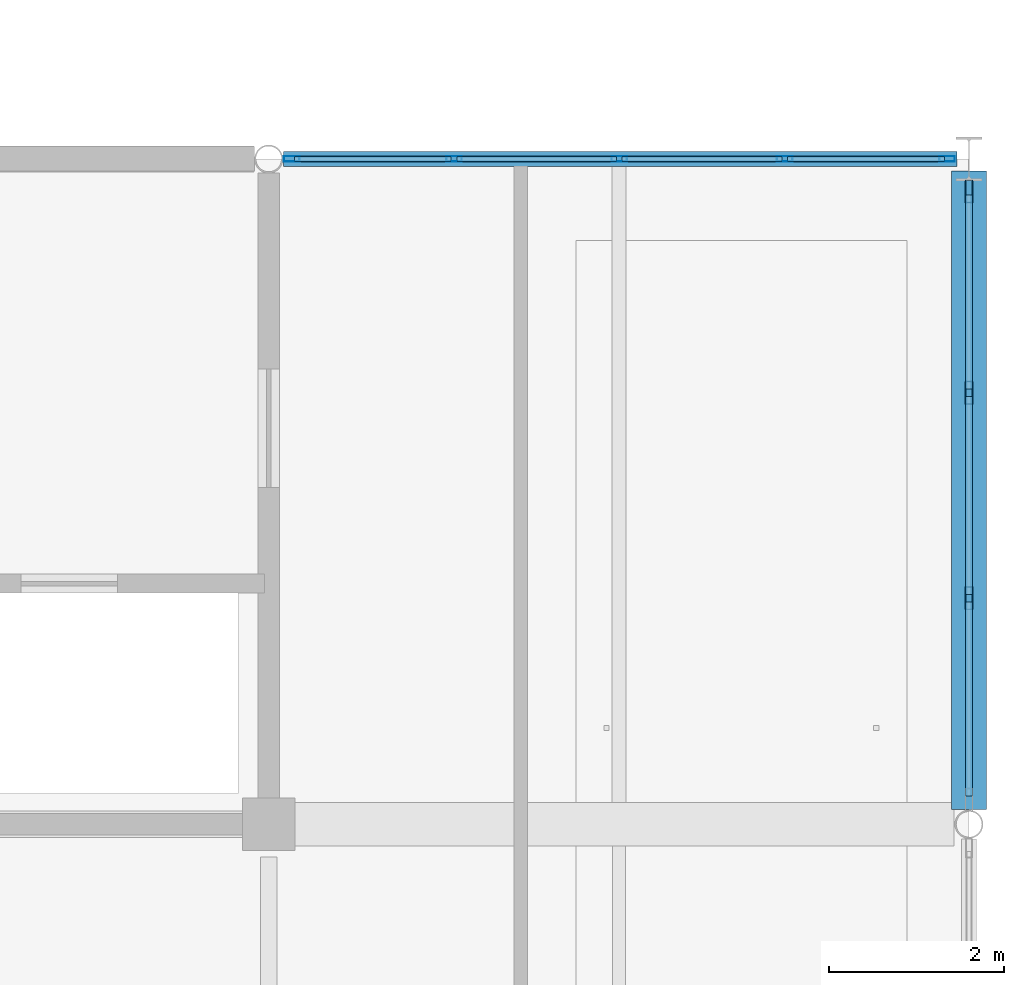
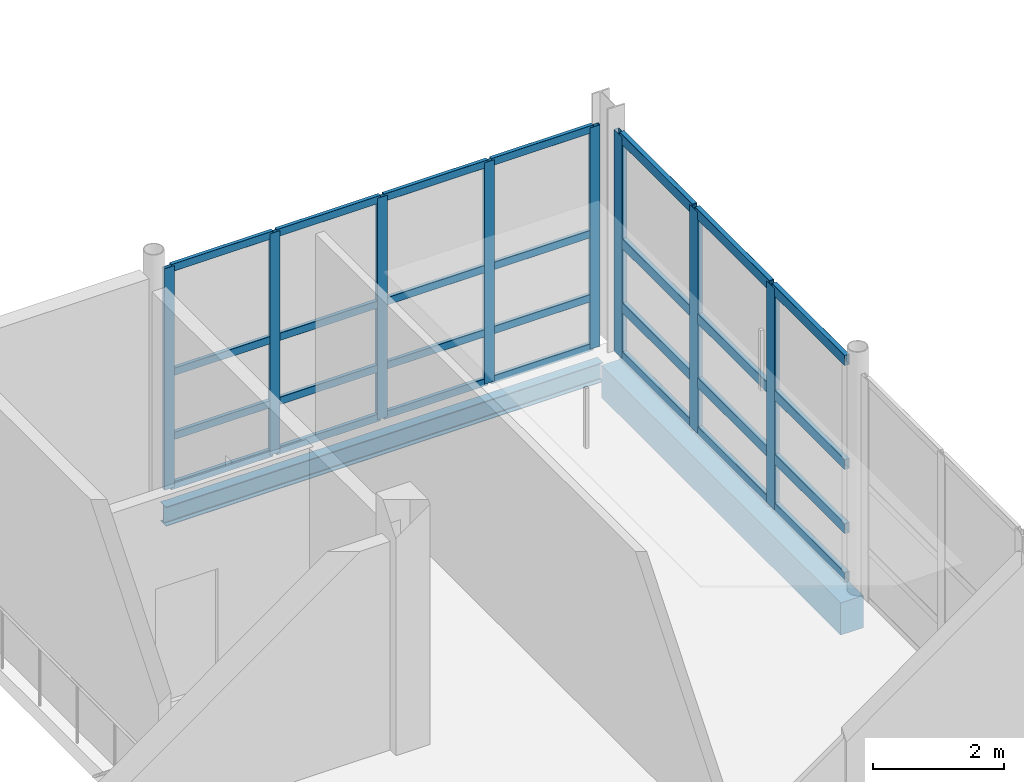
# One storey, part 46 of 107: 36 members, 2 beams, 2 elements without a shape of their own.
"""IFC4 building model written with IfcOpenShell, lengths in metres."""

from ifc_helpers import new_model, si_unit, direction, frame, origin, origin_2d, place, context, subcontext, project, spatial, rectangle, hollow_rectangle, i_section, extrude, material, material_profile, profile_set, type_object, element, aggregate, save


model = new_model("IFC4")

# Units and contexts
model_context = context("Model", 3, precision=1e-05, world=origin(), true_north=direction((0.0, 1.0)))
body_context = subcontext(model_context, "Body", "Model", "MODEL_VIEW")
ifc_project = project(units=[si_unit("LENGTHUNIT", "METRE"), si_unit("AREAUNIT", "SQUARE_METRE"), si_unit("VOLUMEUNIT", "CUBIC_METRE"), si_unit("PLANEANGLEUNIT", "RADIAN"), si_unit("MASSUNIT", "GRAM", prefix="KILO")], contexts=[model_context])

# Site, building, storey
site_placement = place(None, origin())
site = spatial("IfcSite", under=ifc_project, at=site_placement, CompositionType="ELEMENT")
building_placement = place(site_placement, origin())
building = spatial("IfcBuilding", under=site, at=building_placement, Name="Khelvaren Railside Concert Hall", CompositionType="ELEMENT")
storey_placement = place(building_placement, frame((0.0, 0.0, 15.0)))
storey = spatial("IfcBuildingStorey", under=building, at=storey_placement, Name="L03", CompositionType="ELEMENT", Elevation=15.0)

# Curtain wall, members
ifc_material_1 = material(Name="Acoustic laminated crystal facade glass", Category="glass")
curtain_wall_type_1 = type_object("IfcCurtainWallType", Name="CW15", PredefinedType="USERDEFINED", material=ifc_material_1)
curtain_wall_1_placement = place(storey_placement, origin())
curtain_wall_1 = element("IfcCurtainWall", 1, at=curtain_wall_1_placement, inside=storey, type_object=curtain_wall_type_1, Name="Unitised Curtain Wall CW-V2-L03-E-30", ObjectType="UNITISED CURTAIN WALL", PredefinedType="USERDEFINED")
ifc_material_2 = material(Name="Anodised architectural aluminium 6063-T6", Category="aluminium")
ifc_material_profile_1 = material_profile(ifc_material_2, hollow_rectangle(XDim=0.0849609375, YDim=0.260009765625, WallThickness=0.0048828125, InnerFilletRadius=0.0029296875, OuterFilletRadius=0.0048828125, at=origin_2d()), Name="CWM 85x260x5")
ifc_profile_set_1 = profile_set([ifc_material_profile_1], Name="Anodised architectural aluminium 6063-T6")
member_type_1 = type_object("IfcMemberType", Name="CWM40", PredefinedType="MULLION", material=ifc_profile_set_1)
member_1_placement = place(storey_placement, frame((184.0, 37.6298828125, 0.0), z_axis=(0.0, 0.0, 1.0), x_axis=(1.0, 0.0, 0.0)))
member_1 = element("IfcMember", 2, at=member_1_placement, type_object=member_type_1, Name="CW15 mullion 1", PredefinedType="MULLION", context=body_context, shape_type="SweptSolid", body=[
    extrude(hollow_rectangle(XDim=0.0849609375, YDim=0.260009765625, WallThickness=0.0048828125, InnerFilletRadius=0.0029296875, OuterFilletRadius=0.0048828125, at=origin_2d()), origin(), (0.0, 0.0, 1.0), 4.1201171875),
])
member_2_placement = place(storey_placement, frame((184.0, 35.328125, 0.0), z_axis=(0.0, 0.0, 1.0), x_axis=(1.0, 0.0, 0.0)))
member_2 = element("IfcMember", 3, at=member_2_placement, type_object=member_type_1, Name="CW15 mullion 2", PredefinedType="MULLION", context=body_context, shape_type="SweptSolid", body=[
    extrude(hollow_rectangle(XDim=0.0849609375, YDim=0.260009765625, WallThickness=0.0048828125, InnerFilletRadius=0.0029296875, OuterFilletRadius=0.0048828125, at=origin_2d()), origin(), (0.0, 0.0, 1.0), 4.1201171875),
])
member_3_placement = place(storey_placement, frame((184.0, 32.98388671875, 0.0), z_axis=(0.0, 0.0, 1.0), x_axis=(1.0, 0.0, 0.0)))
member_3 = element("IfcMember", 4, at=member_3_placement, type_object=member_type_1, Name="CW15 mullion 3", PredefinedType="MULLION", context=body_context, shape_type="SweptSolid", body=[
    extrude(hollow_rectangle(XDim=0.0849609375, YDim=0.260009765625, WallThickness=0.0048828125, InnerFilletRadius=0.0029296875, OuterFilletRadius=0.0048828125, at=origin_2d()), origin(), (0.0, 0.0, 1.0), 4.1201171875),
])

ifc_material_3 = material(Name="Double-glazed low-E dark acoustic glass", Category="glass")
curtain_wall_type_2 = type_object("IfcCurtainWallType", Name="CW94", PredefinedType="USERDEFINED", material=ifc_material_3)
curtain_wall_2_placement = place(storey_placement, origin())
curtain_wall_2 = element("IfcCurtainWall", 5, at=curtain_wall_2_placement, inside=storey, type_object=curtain_wall_type_2, Name="Unitised Curtain Wall CW-V2-L03-N-176", ObjectType="UNITISED CURTAIN WALL", PredefinedType="USERDEFINED")
ifc_material_profile_2 = material_profile(ifc_material_2, hollow_rectangle(XDim=0.06494140625, YDim=0.179931640625, WallThickness=0.00390625, InnerFilletRadius=0.001953125, OuterFilletRadius=0.00390625, at=origin_2d()), Name="CWM 65x180x4")
ifc_profile_set_2 = profile_set([ifc_material_profile_2], Name="Anodised architectural aluminium 6063-T6")
member_type_2 = type_object("IfcMemberType", Name="CWM63", PredefinedType="MULLION", material=ifc_profile_set_2)
member_4_placement = place(storey_placement, frame((176.261962890625, 38.0, 0.0), z_axis=(0.0, 0.0, 1.0), x_axis=(0.0, 1.0, 0.0)))
member_4 = element("IfcMember", 6, at=member_4_placement, type_object=member_type_2, Name="CW94 mullion 1", PredefinedType="MULLION", context=body_context, shape_type="SweptSolid", body=[
    extrude(hollow_rectangle(XDim=0.06494140625, YDim=0.179931640625, WallThickness=0.00390625, InnerFilletRadius=0.001953125, OuterFilletRadius=0.00390625, at=origin_2d()), origin(), (0.0, 0.0, 1.0), 4.1201171875),
])
member_5_placement = place(storey_placement, frame((178.11767578125, 38.0, 0.0), z_axis=(0.0, 0.0, 1.0), x_axis=(0.0, 1.0, 0.0)))
member_5 = element("IfcMember", 7, at=member_5_placement, type_object=member_type_2, Name="CW94 mullion 2", PredefinedType="MULLION", context=body_context, shape_type="SweptSolid", body=[
    extrude(hollow_rectangle(XDim=0.06494140625, YDim=0.179931640625, WallThickness=0.00390625, InnerFilletRadius=0.001953125, OuterFilletRadius=0.00390625, at=origin_2d()), origin(), (0.0, 0.0, 1.0), 4.1201171875),
])
member_6_placement = place(storey_placement, frame((180.006103515625, 38.0, 0.0), z_axis=(0.0, 0.0, 1.0), x_axis=(0.0, 1.0, 0.0)))
member_6 = element("IfcMember", 8, at=member_6_placement, type_object=member_type_2, Name="CW94 mullion 3", PredefinedType="MULLION", context=body_context, shape_type="SweptSolid", body=[
    extrude(hollow_rectangle(XDim=0.06494140625, YDim=0.179931640625, WallThickness=0.00390625, InnerFilletRadius=0.001953125, OuterFilletRadius=0.00390625, at=origin_2d()), origin(), (0.0, 0.0, 1.0), 4.1201171875),
])
member_7_placement = place(storey_placement, frame((181.894287109375, 38.0, 0.0), z_axis=(0.0, 0.0, 1.0), x_axis=(0.0, 1.0, 0.0)))
member_7 = element("IfcMember", 9, at=member_7_placement, type_object=member_type_2, Name="CW94 mullion 4", PredefinedType="MULLION", context=body_context, shape_type="SweptSolid", body=[
    extrude(hollow_rectangle(XDim=0.06494140625, YDim=0.179931640625, WallThickness=0.00390625, InnerFilletRadius=0.001953125, OuterFilletRadius=0.00390625, at=origin_2d()), origin(), (0.0, 0.0, 1.0), 4.1201171875),
])
member_8_placement = place(storey_placement, frame((183.75, 38.0, 0.0), z_axis=(0.0, 0.0, 1.0), x_axis=(0.0, 1.0, 0.0)))
member_8 = element("IfcMember", 10, at=member_8_placement, type_object=member_type_2, Name="CW94 mullion 5", PredefinedType="MULLION", context=body_context, shape_type="SweptSolid", body=[
    extrude(hollow_rectangle(XDim=0.06494140625, YDim=0.179931640625, WallThickness=0.00390625, InnerFilletRadius=0.001953125, OuterFilletRadius=0.00390625, at=origin_2d()), origin(), (0.0, 0.0, 1.0), 4.1201171875),
])

# Member
ifc_material_profile_3 = material_profile(ifc_material_2, hollow_rectangle(XDim=0.0849609375, YDim=0.18994140625, WallThickness=0.0048828125, InnerFilletRadius=0.0029296875, OuterFilletRadius=0.0048828125, at=origin_2d()), Name="CWT 85x190x5")
ifc_profile_set_3 = profile_set([ifc_material_profile_3], Name="Anodised architectural aluminium 6063-T6")
member_type_3 = type_object("IfcMemberType", Name="CWT31", PredefinedType="USERDEFINED", material=ifc_profile_set_3)
member_9_placement = place(storey_placement, frame((184.0, 37.58740234375, 0.04248046875), z_axis=(0.0, -1.0, 0.0), x_axis=(1.0, 0.0, 0.0)))
member_9 = element("IfcMember", 11, at=member_9_placement, type_object=member_type_3, Name="CW15 transom 1.1", ObjectType="TRANSOM", PredefinedType="USERDEFINED", context=body_context, shape_type="SweptSolid", body=[
    extrude(hollow_rectangle(XDim=0.0849609375, YDim=0.18994140625, WallThickness=0.0048828125, InnerFilletRadius=0.0029296875, OuterFilletRadius=0.0048828125, at=origin_2d()), origin(), (0.0, 0.0, 1.0), 2.216796875),
])

member_10_placement = place(storey_placement, frame((184.0, 37.58740234375, 0.949951171875), z_axis=(0.0, -1.0, 0.0), x_axis=(1.0, 0.0, 0.0)))
member_10 = element("IfcMember", 12, at=member_10_placement, type_object=member_type_3, Name="CW15 transom 1.2", ObjectType="TRANSOM", PredefinedType="USERDEFINED", context=body_context, shape_type="SweptSolid", body=[
    extrude(hollow_rectangle(XDim=0.0849609375, YDim=0.18994140625, WallThickness=0.0048828125, InnerFilletRadius=0.0029296875, OuterFilletRadius=0.0048828125, at=origin_2d()), origin(), (0.0, 0.0, 1.0), 2.216796875),
])

member_11_placement = place(storey_placement, frame((184.0, 37.58740234375, 2.142333984375), z_axis=(0.0, -1.0, 0.0), x_axis=(1.0, 0.0, 0.0)))
member_11 = element("IfcMember", 13, at=member_11_placement, type_object=member_type_3, Name="CW15 transom 1.3", ObjectType="TRANSOM", PredefinedType="USERDEFINED", context=body_context, shape_type="SweptSolid", body=[
    extrude(hollow_rectangle(XDim=0.0849609375, YDim=0.18994140625, WallThickness=0.0048828125, InnerFilletRadius=0.0029296875, OuterFilletRadius=0.0048828125, at=origin_2d()), origin(), (0.0, 0.0, 1.0), 2.216796875),
])

member_12_placement = place(storey_placement, frame((184.0, 37.58740234375, 4.077392578125), z_axis=(0.0, -1.0, 0.0), x_axis=(1.0, 0.0, 0.0)))
member_12 = element("IfcMember", 14, at=member_12_placement, type_object=member_type_3, Name="CW15 transom 1.4", ObjectType="TRANSOM", PredefinedType="USERDEFINED", context=body_context, shape_type="SweptSolid", body=[
    extrude(hollow_rectangle(XDim=0.0849609375, YDim=0.18994140625, WallThickness=0.0048828125, InnerFilletRadius=0.0029296875, OuterFilletRadius=0.0048828125, at=origin_2d()), origin(), (0.0, 0.0, 1.0), 2.216796875),
])

member_13_placement = place(storey_placement, frame((184.0, 35.28564453125, 0.04248046875), z_axis=(0.0, -1.0, 0.0), x_axis=(1.0, 0.0, 0.0)))
member_13 = element("IfcMember", 15, at=member_13_placement, type_object=member_type_3, Name="CW15 transom 2.1", ObjectType="TRANSOM", PredefinedType="USERDEFINED", context=body_context, shape_type="SweptSolid", body=[
    extrude(hollow_rectangle(XDim=0.0849609375, YDim=0.18994140625, WallThickness=0.0048828125, InnerFilletRadius=0.0029296875, OuterFilletRadius=0.0048828125, at=origin_2d()), origin(), (0.0, 0.0, 1.0), 2.25927734375),
])

member_14_placement = place(storey_placement, frame((184.0, 35.28564453125, 0.949951171875), z_axis=(0.0, -1.0, 0.0), x_axis=(1.0, 0.0, 0.0)))
member_14 = element("IfcMember", 16, at=member_14_placement, type_object=member_type_3, Name="CW15 transom 2.2", ObjectType="TRANSOM", PredefinedType="USERDEFINED", context=body_context, shape_type="SweptSolid", body=[
    extrude(hollow_rectangle(XDim=0.0849609375, YDim=0.18994140625, WallThickness=0.0048828125, InnerFilletRadius=0.0029296875, OuterFilletRadius=0.0048828125, at=origin_2d()), origin(), (0.0, 0.0, 1.0), 2.25927734375),
])

member_15_placement = place(storey_placement, frame((184.0, 35.28564453125, 2.142333984375), z_axis=(0.0, -1.0, 0.0), x_axis=(1.0, 0.0, 0.0)))
member_15 = element("IfcMember", 17, at=member_15_placement, type_object=member_type_3, Name="CW15 transom 2.3", ObjectType="TRANSOM", PredefinedType="USERDEFINED", context=body_context, shape_type="SweptSolid", body=[
    extrude(hollow_rectangle(XDim=0.0849609375, YDim=0.18994140625, WallThickness=0.0048828125, InnerFilletRadius=0.0029296875, OuterFilletRadius=0.0048828125, at=origin_2d()), origin(), (0.0, 0.0, 1.0), 2.25927734375),
])

member_16_placement = place(storey_placement, frame((184.0, 35.28564453125, 4.077392578125), z_axis=(0.0, -1.0, 0.0), x_axis=(1.0, 0.0, 0.0)))
member_16 = element("IfcMember", 18, at=member_16_placement, type_object=member_type_3, Name="CW15 transom 2.4", ObjectType="TRANSOM", PredefinedType="USERDEFINED", context=body_context, shape_type="SweptSolid", body=[
    extrude(hollow_rectangle(XDim=0.0849609375, YDim=0.18994140625, WallThickness=0.0048828125, InnerFilletRadius=0.0029296875, OuterFilletRadius=0.0048828125, at=origin_2d()), origin(), (0.0, 0.0, 1.0), 2.25927734375),
])

member_17_placement = place(storey_placement, frame((184.0, 32.94140625, 0.04248046875), z_axis=(0.0, -1.0, 0.0), x_axis=(1.0, 0.0, 0.0)))
member_17 = element("IfcMember", 19, at=member_17_placement, type_object=member_type_3, Name="CW15 transom 3.1", ObjectType="TRANSOM", PredefinedType="USERDEFINED", context=body_context, shape_type="SweptSolid", body=[
    extrude(hollow_rectangle(XDim=0.0849609375, YDim=0.18994140625, WallThickness=0.0048828125, InnerFilletRadius=0.0029296875, OuterFilletRadius=0.0048828125, at=origin_2d()), origin(), (0.0, 0.0, 1.0), 2.216796875),
])

member_18_placement = place(storey_placement, frame((184.0, 32.94140625, 0.949951171875), z_axis=(0.0, -1.0, 0.0), x_axis=(1.0, 0.0, 0.0)))
member_18 = element("IfcMember", 20, at=member_18_placement, type_object=member_type_3, Name="CW15 transom 3.2", ObjectType="TRANSOM", PredefinedType="USERDEFINED", context=body_context, shape_type="SweptSolid", body=[
    extrude(hollow_rectangle(XDim=0.0849609375, YDim=0.18994140625, WallThickness=0.0048828125, InnerFilletRadius=0.0029296875, OuterFilletRadius=0.0048828125, at=origin_2d()), origin(), (0.0, 0.0, 1.0), 2.216796875),
])

member_19_placement = place(storey_placement, frame((184.0, 32.94140625, 2.142333984375), z_axis=(0.0, -1.0, 0.0), x_axis=(1.0, 0.0, 0.0)))
member_19 = element("IfcMember", 21, at=member_19_placement, type_object=member_type_3, Name="CW15 transom 3.3", ObjectType="TRANSOM", PredefinedType="USERDEFINED", context=body_context, shape_type="SweptSolid", body=[
    extrude(hollow_rectangle(XDim=0.0849609375, YDim=0.18994140625, WallThickness=0.0048828125, InnerFilletRadius=0.0029296875, OuterFilletRadius=0.0048828125, at=origin_2d()), origin(), (0.0, 0.0, 1.0), 2.216796875),
])

member_20_placement = place(storey_placement, frame((184.0, 32.94140625, 4.077392578125), z_axis=(0.0, -1.0, 0.0), x_axis=(1.0, 0.0, 0.0)))
member_20 = element("IfcMember", 22, at=member_20_placement, type_object=member_type_3, Name="CW15 transom 3.4", ObjectType="TRANSOM", PredefinedType="USERDEFINED", context=body_context, shape_type="SweptSolid", body=[
    extrude(hollow_rectangle(XDim=0.0849609375, YDim=0.18994140625, WallThickness=0.0048828125, InnerFilletRadius=0.0029296875, OuterFilletRadius=0.0048828125, at=origin_2d()), origin(), (0.0, 0.0, 1.0), 2.216796875),
])

aggregate(curtain_wall_1, [member_1, member_2, member_3, member_9, member_10, member_11, member_12, member_13, member_14, member_15, member_16, member_17, member_18, member_19, member_20])

ifc_material_profile_4 = material_profile(ifc_material_2, hollow_rectangle(XDim=0.06494140625, YDim=0.139892578125, WallThickness=0.00390625, InnerFilletRadius=0.001953125, OuterFilletRadius=0.00390625, at=origin_2d()), Name="CWT 65x140x4")
ifc_profile_set_4 = profile_set([ifc_material_profile_4], Name="Anodised architectural aluminium 6063-T6")
member_type_4 = type_object("IfcMemberType", Name="CWT72", PredefinedType="USERDEFINED", material=ifc_profile_set_4)
member_21_placement = place(storey_placement, frame((176.29443359375, 38.0, 0.032470703125), z_axis=(1.0, 0.0, 0.0), x_axis=(0.0, 1.0, 0.0)))
member_21 = element("IfcMember", 23, at=member_21_placement, type_object=member_type_4, Name="CW94 transom 1.1", ObjectType="TRANSOM", PredefinedType="USERDEFINED", context=body_context, shape_type="SweptSolid", body=[
    extrude(hollow_rectangle(XDim=0.06494140625, YDim=0.139892578125, WallThickness=0.00390625, InnerFilletRadius=0.001953125, OuterFilletRadius=0.00390625, at=origin_2d()), origin(), (0.0, 0.0, 1.0), 1.790771484375),
])

member_22_placement = place(storey_placement, frame((176.29443359375, 38.0, 0.949951171875), z_axis=(1.0, 0.0, 0.0), x_axis=(0.0, 1.0, 0.0)))
member_22 = element("IfcMember", 24, at=member_22_placement, type_object=member_type_4, Name="CW94 transom 1.2", ObjectType="TRANSOM", PredefinedType="USERDEFINED", context=body_context, shape_type="SweptSolid", body=[
    extrude(hollow_rectangle(XDim=0.06494140625, YDim=0.139892578125, WallThickness=0.00390625, InnerFilletRadius=0.001953125, OuterFilletRadius=0.00390625, at=origin_2d()), origin(), (0.0, 0.0, 1.0), 1.790771484375),
])

member_23_placement = place(storey_placement, frame((176.29443359375, 38.0, 2.142333984375), z_axis=(1.0, 0.0, 0.0), x_axis=(0.0, 1.0, 0.0)))
member_23 = element("IfcMember", 25, at=member_23_placement, type_object=member_type_4, Name="CW94 transom 1.3", ObjectType="TRANSOM", PredefinedType="USERDEFINED", context=body_context, shape_type="SweptSolid", body=[
    extrude(hollow_rectangle(XDim=0.06494140625, YDim=0.139892578125, WallThickness=0.00390625, InnerFilletRadius=0.001953125, OuterFilletRadius=0.00390625, at=origin_2d()), origin(), (0.0, 0.0, 1.0), 1.790771484375),
])

member_24_placement = place(storey_placement, frame((176.29443359375, 38.0, 4.08740234375), z_axis=(1.0, 0.0, 0.0), x_axis=(0.0, 1.0, 0.0)))
member_24 = element("IfcMember", 26, at=member_24_placement, type_object=member_type_4, Name="CW94 transom 1.4", ObjectType="TRANSOM", PredefinedType="USERDEFINED", context=body_context, shape_type="SweptSolid", body=[
    extrude(hollow_rectangle(XDim=0.06494140625, YDim=0.139892578125, WallThickness=0.00390625, InnerFilletRadius=0.001953125, OuterFilletRadius=0.00390625, at=origin_2d()), origin(), (0.0, 0.0, 1.0), 1.790771484375),
])

member_25_placement = place(storey_placement, frame((178.150146484375, 38.0, 0.032470703125), z_axis=(1.0, 0.0, 0.0), x_axis=(0.0, 1.0, 0.0)))
member_25 = element("IfcMember", 27, at=member_25_placement, type_object=member_type_4, Name="CW94 transom 2.1", ObjectType="TRANSOM", PredefinedType="USERDEFINED", context=body_context, shape_type="SweptSolid", body=[
    extrude(hollow_rectangle(XDim=0.06494140625, YDim=0.139892578125, WallThickness=0.00390625, InnerFilletRadius=0.001953125, OuterFilletRadius=0.00390625, at=origin_2d()), origin(), (0.0, 0.0, 1.0), 1.8232421875),
])

member_26_placement = place(storey_placement, frame((178.150146484375, 38.0, 0.949951171875), z_axis=(1.0, 0.0, 0.0), x_axis=(0.0, 1.0, 0.0)))
member_26 = element("IfcMember", 28, at=member_26_placement, type_object=member_type_4, Name="CW94 transom 2.2", ObjectType="TRANSOM", PredefinedType="USERDEFINED", context=body_context, shape_type="SweptSolid", body=[
    extrude(hollow_rectangle(XDim=0.06494140625, YDim=0.139892578125, WallThickness=0.00390625, InnerFilletRadius=0.001953125, OuterFilletRadius=0.00390625, at=origin_2d()), origin(), (0.0, 0.0, 1.0), 1.8232421875),
])

member_27_placement = place(storey_placement, frame((178.150146484375, 38.0, 2.142333984375), z_axis=(1.0, 0.0, 0.0), x_axis=(0.0, 1.0, 0.0)))
member_27 = element("IfcMember", 29, at=member_27_placement, type_object=member_type_4, Name="CW94 transom 2.3", ObjectType="TRANSOM", PredefinedType="USERDEFINED", context=body_context, shape_type="SweptSolid", body=[
    extrude(hollow_rectangle(XDim=0.06494140625, YDim=0.139892578125, WallThickness=0.00390625, InnerFilletRadius=0.001953125, OuterFilletRadius=0.00390625, at=origin_2d()), origin(), (0.0, 0.0, 1.0), 1.8232421875),
])

member_28_placement = place(storey_placement, frame((178.150146484375, 38.0, 4.08740234375), z_axis=(1.0, 0.0, 0.0), x_axis=(0.0, 1.0, 0.0)))
member_28 = element("IfcMember", 30, at=member_28_placement, type_object=member_type_4, Name="CW94 transom 2.4", ObjectType="TRANSOM", PredefinedType="USERDEFINED", context=body_context, shape_type="SweptSolid", body=[
    extrude(hollow_rectangle(XDim=0.06494140625, YDim=0.139892578125, WallThickness=0.00390625, InnerFilletRadius=0.001953125, OuterFilletRadius=0.00390625, at=origin_2d()), origin(), (0.0, 0.0, 1.0), 1.8232421875),
])

member_29_placement = place(storey_placement, frame((180.03857421875, 38.0, 0.032470703125), z_axis=(1.0, 0.0, 0.0), x_axis=(0.0, 1.0, 0.0)))
member_29 = element("IfcMember", 31, at=member_29_placement, type_object=member_type_4, Name="CW94 transom 3.1", ObjectType="TRANSOM", PredefinedType="USERDEFINED", context=body_context, shape_type="SweptSolid", body=[
    extrude(hollow_rectangle(XDim=0.06494140625, YDim=0.139892578125, WallThickness=0.00390625, InnerFilletRadius=0.001953125, OuterFilletRadius=0.00390625, at=origin_2d()), origin(), (0.0, 0.0, 1.0), 1.8232421875),
])

member_30_placement = place(storey_placement, frame((180.03857421875, 38.0, 0.949951171875), z_axis=(1.0, 0.0, 0.0), x_axis=(0.0, 1.0, 0.0)))
member_30 = element("IfcMember", 32, at=member_30_placement, type_object=member_type_4, Name="CW94 transom 3.2", ObjectType="TRANSOM", PredefinedType="USERDEFINED", context=body_context, shape_type="SweptSolid", body=[
    extrude(hollow_rectangle(XDim=0.06494140625, YDim=0.139892578125, WallThickness=0.00390625, InnerFilletRadius=0.001953125, OuterFilletRadius=0.00390625, at=origin_2d()), origin(), (0.0, 0.0, 1.0), 1.8232421875),
])

member_31_placement = place(storey_placement, frame((180.03857421875, 38.0, 2.142333984375), z_axis=(1.0, 0.0, 0.0), x_axis=(0.0, 1.0, 0.0)))
member_31 = element("IfcMember", 33, at=member_31_placement, type_object=member_type_4, Name="CW94 transom 3.3", ObjectType="TRANSOM", PredefinedType="USERDEFINED", context=body_context, shape_type="SweptSolid", body=[
    extrude(hollow_rectangle(XDim=0.06494140625, YDim=0.139892578125, WallThickness=0.00390625, InnerFilletRadius=0.001953125, OuterFilletRadius=0.00390625, at=origin_2d()), origin(), (0.0, 0.0, 1.0), 1.8232421875),
])

member_32_placement = place(storey_placement, frame((180.03857421875, 38.0, 4.08740234375), z_axis=(1.0, 0.0, 0.0), x_axis=(0.0, 1.0, 0.0)))
member_32 = element("IfcMember", 34, at=member_32_placement, type_object=member_type_4, Name="CW94 transom 3.4", ObjectType="TRANSOM", PredefinedType="USERDEFINED", context=body_context, shape_type="SweptSolid", body=[
    extrude(hollow_rectangle(XDim=0.06494140625, YDim=0.139892578125, WallThickness=0.00390625, InnerFilletRadius=0.001953125, OuterFilletRadius=0.00390625, at=origin_2d()), origin(), (0.0, 0.0, 1.0), 1.8232421875),
])

member_33_placement = place(storey_placement, frame((181.9267578125, 38.0, 0.032470703125), z_axis=(1.0, 0.0, 0.0), x_axis=(0.0, 1.0, 0.0)))
member_33 = element("IfcMember", 35, at=member_33_placement, type_object=member_type_4, Name="CW94 transom 4.1", ObjectType="TRANSOM", PredefinedType="USERDEFINED", context=body_context, shape_type="SweptSolid", body=[
    extrude(hollow_rectangle(XDim=0.06494140625, YDim=0.139892578125, WallThickness=0.00390625, InnerFilletRadius=0.001953125, OuterFilletRadius=0.00390625, at=origin_2d()), origin(), (0.0, 0.0, 1.0), 1.790771484375),
])

member_34_placement = place(storey_placement, frame((181.9267578125, 38.0, 0.949951171875), z_axis=(1.0, 0.0, 0.0), x_axis=(0.0, 1.0, 0.0)))
member_34 = element("IfcMember", 36, at=member_34_placement, type_object=member_type_4, Name="CW94 transom 4.2", ObjectType="TRANSOM", PredefinedType="USERDEFINED", context=body_context, shape_type="SweptSolid", body=[
    extrude(hollow_rectangle(XDim=0.06494140625, YDim=0.139892578125, WallThickness=0.00390625, InnerFilletRadius=0.001953125, OuterFilletRadius=0.00390625, at=origin_2d()), origin(), (0.0, 0.0, 1.0), 1.790771484375),
])

member_35_placement = place(storey_placement, frame((181.9267578125, 38.0, 2.142333984375), z_axis=(1.0, 0.0, 0.0), x_axis=(0.0, 1.0, 0.0)))
member_35 = element("IfcMember", 37, at=member_35_placement, type_object=member_type_4, Name="CW94 transom 4.3", ObjectType="TRANSOM", PredefinedType="USERDEFINED", context=body_context, shape_type="SweptSolid", body=[
    extrude(hollow_rectangle(XDim=0.06494140625, YDim=0.139892578125, WallThickness=0.00390625, InnerFilletRadius=0.001953125, OuterFilletRadius=0.00390625, at=origin_2d()), origin(), (0.0, 0.0, 1.0), 1.790771484375),
])

member_36_placement = place(storey_placement, frame((181.9267578125, 38.0, 4.08740234375), z_axis=(1.0, 0.0, 0.0), x_axis=(0.0, 1.0, 0.0)))
member_36 = element("IfcMember", 38, at=member_36_placement, type_object=member_type_4, Name="CW94 transom 4.4", ObjectType="TRANSOM", PredefinedType="USERDEFINED", context=body_context, shape_type="SweptSolid", body=[
    extrude(hollow_rectangle(XDim=0.06494140625, YDim=0.139892578125, WallThickness=0.00390625, InnerFilletRadius=0.001953125, OuterFilletRadius=0.00390625, at=origin_2d()), origin(), (0.0, 0.0, 1.0), 1.790771484375),
])

aggregate(curtain_wall_2, [member_4, member_5, member_6, member_7, member_8, member_21, member_22, member_23, member_24, member_25, member_26, member_27, member_28, member_29, member_30, member_31, member_32, member_33, member_34, member_35, member_36])

# Beams
ifc_material_4 = material(Name="Steel S355", Category="steel")
ifc_material_profile_5 = material_profile(ifc_material_4, i_section(OverallWidth=0.169921875, OverallDepth=0.360107421875, WebThickness=0.008056640625, FlangeThickness=0.0126953125, FilletRadius=0.01806640625, at=origin_2d()), Name="IPE 360")
ifc_profile_set_5 = profile_set([ifc_material_profile_5], Name="Steel S355")
beam_type_1 = type_object("IfcBeamType", Name="SP74", PredefinedType="SPANDREL", material=ifc_profile_set_5)
beam_1_placement = place(storey_placement, frame((176.170654296875, 38.0, -0.4599609375), z_axis=(1.0, 0.0, 0.0), x_axis=(0.0, 1.0, 0.0)))
element("IfcBeam", 39, at=beam_1_placement, inside=storey, type_object=beam_type_1, Name="V2 L03 Spandrel X6.5", PredefinedType="SPANDREL", context=body_context, shape_type="SweptSolid", body=[
    extrude(i_section(OverallWidth=0.169921875, OverallDepth=0.360107421875, WebThickness=0.008056640625, FlangeThickness=0.0126953125, FilletRadius=0.01806640625, at=origin_2d()), origin(), (0.0, 0.0, 1.0), 7.693359375),
])
ifc_material_5 = material(Name="Concrete C40/50", Category="concrete")
ifc_material_profile_6 = material_profile(ifc_material_5, rectangle(XDim=0.39990234375, YDim=0.60009765625, at=origin_2d()), Name="RCB 400x600")
ifc_profile_set_6 = profile_set([ifc_material_profile_6], Name="Concrete C40/50")
beam_type_2 = type_object("IfcBeamType", Name="SP75", PredefinedType="SPANDREL", material=ifc_profile_set_6)
beam_2_placement = place(storey_placement, frame((184.0, 30.57080078125, -0.580078125), z_axis=(0.0, 1.0, 0.0), x_axis=(-1.0, 0.0, 0.0)))
element("IfcBeam", 40, at=beam_2_placement, inside=storey, type_object=beam_type_2, Name="V2 L03 Spandrel Y6.5", PredefinedType="SPANDREL", context=body_context, shape_type="SweptSolid", body=[
    extrude(rectangle(XDim=0.39990234375, YDim=0.60009765625, at=origin_2d()), origin(), (0.0, 0.0, 1.0), 7.293212890625),
])

save(model, "model.ifc")
